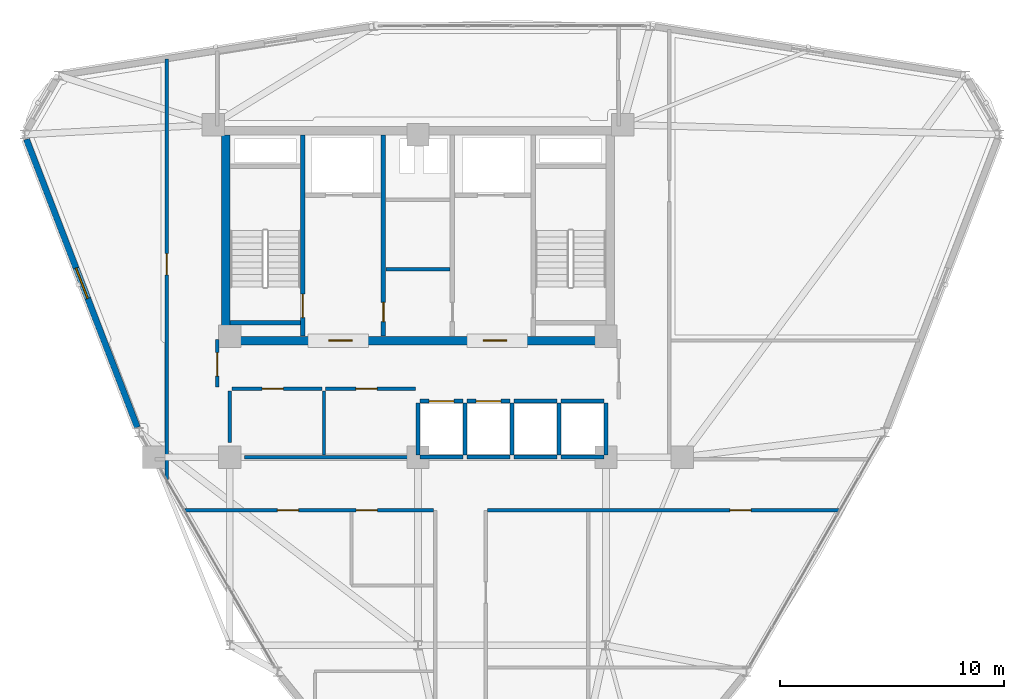
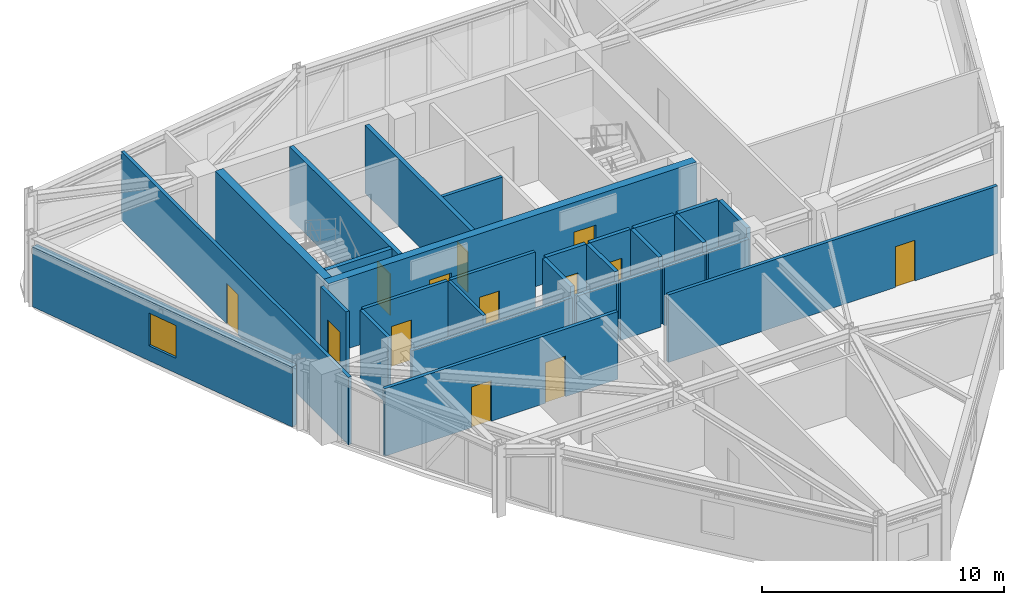
# One storey, part 14 of 18: 29 walls, 13 doors, 1 window, 14 openings.
"""IFC4 building model written with IfcOpenShell, lengths in metres."""

from ifc_helpers import new_model, si_unit, derived_unit, direction, frame, frame_2d, origin, place, context, subcontext, project, spatial, rectangle, extrude, material, layer, layer_set, type_object, element, fill, save


model = new_model("IFC4")

# Units and contexts
model_context = context("Model", 3, precision=1e-05, world=origin(), true_north=direction((0.0, 1.0)))
body_context = subcontext(model_context, "Body", "Model", "MODEL_VIEW")
ifc_project = project(units=[si_unit("LENGTHUNIT", "METRE"), si_unit("AREAUNIT", "SQUARE_METRE"), si_unit("VOLUMEUNIT", "CUBIC_METRE"), si_unit("PLANEANGLEUNIT", "RADIAN"), si_unit("MASSUNIT", "GRAM", prefix="KILO"), derived_unit("THERMALTRANSMITTANCEUNIT", [(si_unit("POWERUNIT", "WATT"), 1), (si_unit("LENGTHUNIT", "METRE"), -2), (si_unit("THERMODYNAMICTEMPERATUREUNIT", "KELVIN"), -1)])], contexts=[model_context])

# Site, building, storey
site_placement = place(None, origin())
site = spatial("IfcSite", under=ifc_project, at=site_placement, CompositionType="ELEMENT")
building_placement = place(site_placement, origin())
building = spatial("IfcBuilding", under=site, at=building_placement, Name="Korsvarv Bourse and Concert Hall", CompositionType="ELEMENT")
storey_placement = place(building_placement, frame((0.0, 0.0, 209.39990234375)))
storey = spatial("IfcBuildingStorey", under=building, at=storey_placement, Name="L54", CompositionType="ELEMENT", Elevation=209.39990234375)

# Wall, openings, doors
ifc_material_1 = material(Name="Concrete C50/60", Category="concrete")
ifc_layer_1 = layer(ifc_material_1, 0.3798828125)
ifc_layer_set_1 = layer_set([ifc_layer_1], Name="Concrete C50/60")
wall_type_1 = type_object("IfcWallType", Name="WL-CORE-380", PredefinedType="SHEAR", material=ifc_layer_set_1)
wall_1_placement = place(storey_placement, frame((27.219970703125, 37.610107421875, 0.0), z_axis=(0.0, 0.0, 1.0), x_axis=(1.0, 0.0, 0.0)))
wall_1 = element("IfcWall", 1, at=wall_1_placement, inside=storey, type_object=wall_type_1, Name="L54 South Core Shear Wall", PredefinedType="SHEAR", context=body_context, shape_type="SweptSolid", body=[
    extrude(rectangle(XDim=17.56005859375, YDim=0.3798828125, at=frame_2d((8.780029296875, 0.0))), origin(), (0.0, 0.0, 1.0), 3.60009765625),
])
opening_1_placement = place(wall_1_placement, frame((4.804931640625, 0.0, 0.0)))
opening_1 = element("IfcOpeningElement", 2, at=opening_1_placement, cuts=wall_1, Name="Opening D-01", PredefinedType="OPENING", context=body_context, shape_type="SweptSolid", body=[
    extrude(rectangle(XDim=1.050048828125, YDim=2.10009765625, at=frame_2d((0.52490234375, 1.050048828125))), frame((0.0, 0.199951171875, 0.0), z_axis=(0.0, -1.0, 0.0), x_axis=(1.0, 0.0, 0.0)), (0.0, 0.0, 1.0), 0.39990234375),
])
opening_2_placement = place(wall_1_placement, frame((11.705078125, 0.0, 0.0)))
opening_2 = element("IfcOpeningElement", 3, at=opening_2_placement, cuts=wall_1, Name="Opening D-01", PredefinedType="OPENING", context=body_context, shape_type="SweptSolid", body=[
    extrude(rectangle(XDim=1.050048828125, YDim=2.10009765625, at=frame_2d((0.52490234375, 1.050048828125))), frame((0.0, 0.199951171875, 0.0), z_axis=(0.0, -1.0, 0.0), x_axis=(1.0, 0.0, 0.0)), (0.0, 0.0, 1.0), 0.39990234375),
])
ifc_material_2 = material(Name="Steel S355 fire door", Category="steel")
door_type_1 = type_object("IfcDoorType", Name="DR-FD60", OperationType="NOTDEFINED", PredefinedType="DOOR", material=ifc_material_2)
door_1_placement = place(opening_1_placement, frame((1.050048828125, 0.0, 0.0), z_axis=(0.0, 0.0, 1.0), x_axis=(-1.0, 0.0, 0.0)))
door_1 = element("IfcDoor", 4, at=door_1_placement, inside=storey, type_object=door_type_1, Name="L54 firefighting lobby fire door DR-L54-FFLW", OperationType="SINGLE_SWING_RIGHT", OverallHeight=2.10009765625, OverallWidth=1.050048828125, PredefinedType="DOOR", context=body_context, shape_type="SweptSolid", body=[
    extrude(rectangle(XDim=1.050048828125, YDim=2.10009765625, at=frame_2d((0.52490234375, 1.050048828125))), frame((0.0, 0.02490234375, 0.0), z_axis=(0.0, -1.0, 0.0), x_axis=(1.0, 0.0, 0.0)), (0.0, 0.0, 1.0), 0.050048828125),
])
fill(opening_1, door_1)
door_2_placement = place(opening_2_placement, frame((1.050048828125, 0.0, 0.0), z_axis=(0.0, 0.0, 1.0), x_axis=(-1.0, 0.0, 0.0)))
door_2 = element("IfcDoor", 5, at=door_2_placement, inside=storey, type_object=door_type_1, Name="L54 firefighting lobby fire door DR-L54-FFLE", OperationType="SINGLE_SWING_LEFT", OverallHeight=2.10009765625, OverallWidth=1.050048828125, PredefinedType="DOOR", context=body_context, shape_type="SweptSolid", body=[
    extrude(rectangle(XDim=1.050048828125, YDim=2.10009765625, at=frame_2d((0.52490234375, 1.050048828125))), frame((0.0, 0.02490234375, 0.0), z_axis=(0.0, -1.0, 0.0), x_axis=(1.0, 0.0, 0.0)), (0.0, 0.0, 1.0), 0.050048828125),
])
fill(opening_2, door_2)

# Wall
wall_2_placement = place(storey_placement, frame((27.409912109375, 37.800048828125, 0.0), z_axis=(0.0, 0.0, 1.0), x_axis=(0.0, 1.0, 0.0)))
element("IfcWall", 6, at=wall_2_placement, inside=storey, type_object=wall_type_1, Name="L54 West Core Shear Wall", PredefinedType="SHEAR", context=body_context, shape_type="SweptSolid", body=[
    extrude(rectangle(XDim=9.0, YDim=0.3798828125, at=frame_2d((4.5, 0.0))), origin(), (0.0, 0.0, 1.0), 3.60009765625),
])

# Wall, opening, door
wall_3_placement = place(storey_placement, frame((30.860107421875, 37.81005859375, 0.0), z_axis=(0.0, 0.0, 1.0), x_axis=(0.0, 1.0, 0.0)))
wall_3 = element("IfcWall", 7, at=wall_3_placement, inside=storey, type_object=wall_type_1, Name="L54 stair shaft structural wall W-L54-ST1-E", PredefinedType="SHEAR", context=body_context, shape_type="SweptSolid", body=[
    extrude(rectangle(XDim=8.97998046875, YDim=0.199951171875, at=frame_2d((4.489990234375, 0.0))), origin(), (0.0, 0.0, 1.0), 3.60009765625),
])
opening_3_placement = place(wall_3_placement, frame((0.820068359375, 0.0, 0.0)))
opening_3 = element("IfcOpeningElement", 8, at=opening_3_placement, cuts=wall_3, Name="Opening D-01", PredefinedType="OPENING", context=body_context, shape_type="SweptSolid", body=[
    extrude(rectangle(XDim=1.050048828125, YDim=2.10009765625, at=frame_2d((0.52490234375, 1.050048828125))), frame((0.0, 0.10986328125, 0.0), z_axis=(0.0, -1.0, 0.0), x_axis=(1.0, 0.0, 0.0)), (0.0, 0.0, 1.0), 0.219970703125),
])
door_3_placement = place(opening_3_placement, origin())
door_3 = element("IfcDoor", 9, at=door_3_placement, inside=storey, type_object=door_type_1, Name="L54 interior door DR-L54-ST1", OperationType="SINGLE_SWING_LEFT", OverallHeight=2.10009765625, OverallWidth=1.050048828125, PredefinedType="DOOR", context=body_context, shape_type="SweptSolid", body=[
    extrude(rectangle(XDim=1.050048828125, YDim=2.10009765625, at=frame_2d((0.52490234375, 1.050048828125))), frame((0.0, 0.02490234375, 0.0), z_axis=(0.0, -1.0, 0.0), x_axis=(1.0, 0.0, 0.0)), (0.0, 0.0, 1.0), 0.050048828125),
])
fill(opening_3, door_3)

# Wall
wall_4_placement = place(storey_placement, frame((27.610107421875, 38.39990234375, 0.0), z_axis=(0.0, 0.0, 1.0), x_axis=(1.0, 0.0, 0.0)))
element("IfcWall", 10, at=wall_4_placement, inside=storey, type_object=wall_type_1, Name="L54 stair shaft structural wall W-L54-ST1-S", PredefinedType="SHEAR", context=body_context, shape_type="SweptSolid", body=[
    extrude(rectangle(XDim=3.139892578125, YDim=0.199951171875, at=frame_2d((1.56982421875, 0.0))), origin(), (0.0, 0.0, 1.0), 3.60009765625),
])

# Wall, opening, window
ifc_material_3 = material(Name="Precast concrete C45/55 with fluted terracotta pier", Category="concrete")
ifc_layer_2 = layer(ifc_material_3, 0.280029296875)
ifc_layer_set_2 = layer_set([ifc_layer_2], Name="Precast concrete C45/55 with fluted terracotta pier")
wall_type_2 = type_object("IfcWallType", Name="WL-EXT-TC2", PredefinedType="SOLIDWALL", material=ifc_layer_set_2)
wall_5_placement = place(storey_placement, frame((18.511962890625, 46.598388671875, 0.0), z_axis=(0.0, 0.0, 1.0), x_axis=(0.359321962573, -0.933213655715, 0.0)))
wall_5 = element("IfcWall", 11, at=wall_5_placement, inside=storey, type_object=wall_type_2, Name="L54 terracotta exterior wall EW-L54-B06", PredefinedType="SOLIDWALL", context=body_context, shape_type="SweptSolid", body=[
    extrude(rectangle(XDim=13.7880859375, YDim=0.280029296875, at=frame_2d((6.89404296875, 0.0))), origin(), (0.0, 0.0, 1.0), 3.02001953125),
])
opening_4_placement = place(wall_5_placement, frame((6.1689453125, 0.0, 0.75)))
opening_4 = element("IfcOpeningElement", 12, at=opening_4_placement, cuts=wall_5, Name="Opening W-02", PredefinedType="OPENING", context=body_context, shape_type="SweptSolid", body=[
    extrude(rectangle(XDim=1.449951171875, YDim=1.64990234375, at=frame_2d((0.72509765625, 0.824951171875))), frame((0.0, 0.14990234375, 0.0), z_axis=(0.0, -1.0, 0.0), x_axis=(1.0, 0.0, 0.0)), (0.0, 0.0, 1.0), 0.300048828125),
])
ifc_material_4 = material(Name="Thermally broken aluminium frame with triple low-E glass", Category="glass")
window_type = type_object("IfcWindowType", Name="WIN-TW2", PartitioningType="SINGLE_PANEL", PredefinedType="WINDOW", material=ifc_material_4)
window_placement = place(opening_4_placement, origin())
window = element("IfcWindow", 13, at=window_placement, inside=storey, type_object=window_type, Name="L54 punched facade window W-02", OverallHeight=1.64990234375, OverallWidth=1.449951171875, PartitioningType="SINGLE_PANEL", PredefinedType="WINDOW", context=body_context, shape_type="SweptSolid", body=[
    extrude(rectangle(XDim=1.449951171875, YDim=1.64990234375, at=frame_2d((0.72509765625, 0.824951171875))), frame((0.0, 0.030029296875, 0.0), z_axis=(0.0, -1.0, 0.0), x_axis=(1.0, 0.0, 0.0)), (0.0, 0.0, 1.0), 0.06005859375),
])
fill(opening_4, window)

# Wall, opening, door
ifc_material_5 = material(Name="Reinforced concrete blockwork C35/45 fire wall", Category="concrete")
ifc_layer_3 = layer(ifc_material_5, 0.199951171875)
ifc_layer_set_3 = layer_set([ifc_layer_3], Name="Reinforced concrete blockwork C35/45 fire wall")
wall_type_3 = type_object("IfcWallType", Name="WL-INT-EI120", PredefinedType="PARTITIONING", material=ifc_layer_set_3)
wall_6_placement = place(storey_placement, frame((34.4599609375, 37.81005859375, 0.0), z_axis=(0.0, 0.0, 1.0), x_axis=(0.0, 1.0, 0.0)))
wall_6 = element("IfcWall", 14, at=wall_6_placement, inside=storey, type_object=wall_type_3, Name="L54 interior partition wall W-L54-CSB-W", PredefinedType="PARTITIONING", context=body_context, shape_type="SweptSolid", body=[
    extrude(rectangle(XDim=8.97998046875, YDim=0.199951171875, at=frame_2d((4.489990234375, 0.0))), origin(), (0.0, 0.0, 1.0), 3.41015625),
])
opening_5_placement = place(wall_6_placement, frame((0.64990234375, 0.0, 0.0)))
opening_5 = element("IfcOpeningElement", 15, at=opening_5_placement, cuts=wall_6, Name="Opening D-05", PredefinedType="OPENING", context=body_context, shape_type="SweptSolid", body=[
    extrude(rectangle(XDim=0.85009765625, YDim=2.050048828125, at=frame_2d((0.425048828125, 1.02490234375))), frame((0.0, 0.10986328125, 0.0), z_axis=(0.0, -1.0, 0.0), x_axis=(1.0, 0.0, 0.0)), (0.0, 0.0, 1.0), 0.219970703125),
])
door_type_2 = type_object("IfcDoorType", Name="DR-FD60-850X2050", OperationType="NOTDEFINED", PredefinedType="DOOR", material=ifc_material_2)
door_4_placement = place(opening_5_placement, frame((0.85009765625, 0.0, 0.0), z_axis=(0.0, 0.0, 1.0), x_axis=(-1.0, 0.0, 0.0)))
door_4 = element("IfcDoor", 16, at=door_4_placement, inside=storey, type_object=door_type_2, Name="L54 interior door DR-L54-CSB1", OperationType="SINGLE_SWING_LEFT", OverallHeight=2.050048828125, OverallWidth=0.85009765625, PredefinedType="DOOR", context=body_context, shape_type="SweptSolid", body=[
    extrude(rectangle(XDim=0.85009765625, YDim=2.050048828125, at=frame_2d((0.425048828125, 1.02490234375))), frame((0.0, 0.02490234375, 0.0), z_axis=(0.0, -1.0, 0.0), x_axis=(1.0, 0.0, 0.0)), (0.0, 0.0, 1.0), 0.050048828125),
])
fill(opening_5, door_4)

# Walls
ifc_material_6 = material(Name="Double-stud fire-rated acoustic partition", Category="gypsum")
ifc_layer_4 = layer(ifc_material_6, 0.159912109375)
ifc_layer_set_4 = layer_set([ifc_layer_4], Name="Double-stud fire-rated acoustic partition")
wall_type_4 = type_object("IfcWallType", Name="WL-INT-EI60", PredefinedType="PARTITIONING", material=ifc_layer_set_4)
wall_7_placement = place(storey_placement, frame((34.570068359375, 40.800048828125, 0.0), z_axis=(0.0, 0.0, 1.0), x_axis=(1.0, 0.0, 0.0)))
element("IfcWall", 17, at=wall_7_placement, inside=storey, type_object=wall_type_4, Name="L54 interior partition wall W-L54-K1", PredefinedType="PARTITIONING", context=body_context, shape_type="SweptSolid", body=[
    extrude(rectangle(XDim=2.85986328125, YDim=0.159912109375, at=frame_2d((1.429931640625, 0.0))), origin(), (0.0, 0.0, 1.0), 3.41015625),
])
wall_8_placement = place(storey_placement, frame((28.25, 32.39990234375, 0.0), z_axis=(0.0, 0.0, 1.0), x_axis=(1.0, 0.0, 0.0)))
element("IfcWall", 18, at=wall_8_placement, inside=storey, type_object=wall_type_4, Name="L54 interior partition wall W-L54-FRD-S", PredefinedType="PARTITIONING", context=body_context, shape_type="SweptSolid", body=[
    extrude(rectangle(XDim=7.64990234375, YDim=0.159912109375, at=frame_2d((3.824951171875, 0.0))), origin(), (0.0, 0.0, 1.0), 2.960205078125),
])
wall_9_placement = place(storey_placement, frame((27.60009765625, 33.050048828125, 0.0), z_axis=(0.0, 0.0, 1.0), x_axis=(0.0, 1.0, 0.0)))
element("IfcWall", 19, at=wall_9_placement, inside=storey, type_object=wall_type_4, Name="L54 interior partition wall W-L54-FRD-W", PredefinedType="PARTITIONING", context=body_context, shape_type="SweptSolid", body=[
    extrude(rectangle(XDim=2.31005859375, YDim=0.159912109375, at=frame_2d((1.155029296875, 0.0))), origin(), (0.0, 0.0, 1.0), 3.41015625),
])

# Wall, opening, door
wall_10_placement = place(storey_placement, frame((27.68994140625, 35.449951171875, 0.0), z_axis=(0.0, 0.0, 1.0), x_axis=(1.0, 0.0, 0.0)))
wall_10 = element("IfcWall", 20, at=wall_10_placement, inside=storey, type_object=wall_type_4, Name="L54 interior partition wall W-L54-FRD-N1", PredefinedType="PARTITIONING", context=body_context, shape_type="SweptSolid", body=[
    extrude(rectangle(XDim=4.030029296875, YDim=0.159912109375, at=frame_2d((2.01513671875, 0.0))), origin(), (0.0, 0.0, 1.0), 3.41015625),
])
opening_6_placement = place(wall_10_placement, frame((1.35009765625, 0.0, 0.0)))
opening_6 = element("IfcOpeningElement", 21, at=opening_6_placement, cuts=wall_10, Name="Opening D-03", PredefinedType="OPENING", context=body_context, shape_type="SweptSolid", body=[
    extrude(rectangle(XDim=0.949951171875, YDim=2.050048828125, at=frame_2d((0.47509765625, 1.02490234375))), frame((0.0, 0.08984375, 0.0), z_axis=(0.0, -1.0, 0.0), x_axis=(1.0, 0.0, 0.0)), (0.0, 0.0, 1.0), 0.179931640625),
])
ifc_material_7 = material(Name="Nordic oak acoustic office door", Category="wood")
door_type_3 = type_object("IfcDoorType", Name="DR-INT-1", OperationType="NOTDEFINED", PredefinedType="DOOR", material=ifc_material_7)
door_5_placement = place(opening_6_placement, origin())
door_5 = element("IfcDoor", 22, at=door_5_placement, inside=storey, type_object=door_type_3, Name="L54 interior door DR-L54-FRDN1", OperationType="SINGLE_SWING_LEFT", OverallHeight=2.050048828125, OverallWidth=0.949951171875, PredefinedType="DOOR", context=body_context, shape_type="SweptSolid", body=[
    extrude(rectangle(XDim=0.949951171875, YDim=2.050048828125, at=frame_2d((0.47509765625, 1.02490234375))), frame((0.0, 0.02490234375, 0.0), z_axis=(0.0, -1.0, 0.0), x_axis=(1.0, 0.0, 0.0)), (0.0, 0.0, 1.0), 0.050048828125),
])
fill(opening_6, door_5)

wall_11_placement = place(storey_placement, frame((31.8798828125, 35.449951171875, 0.0), z_axis=(0.0, 0.0, 1.0), x_axis=(1.0, 0.0, 0.0)))
wall_11 = element("IfcWall", 23, at=wall_11_placement, inside=storey, type_object=wall_type_4, Name="L54 interior partition wall W-L54-FRD-N2", PredefinedType="PARTITIONING", context=body_context, shape_type="SweptSolid", body=[
    extrude(rectangle(XDim=4.02001953125, YDim=0.159912109375, at=frame_2d((2.010009765625, 0.0))), origin(), (0.0, 0.0, 1.0), 3.41015625),
])
opening_7_placement = place(wall_11_placement, frame((1.35009765625, 0.0, 0.0)))
opening_7 = element("IfcOpeningElement", 24, at=opening_7_placement, cuts=wall_11, Name="Opening D-03", PredefinedType="OPENING", context=body_context, shape_type="SweptSolid", body=[
    extrude(rectangle(XDim=0.949951171875, YDim=2.050048828125, at=frame_2d((0.47509765625, 1.02490234375))), frame((0.0, 0.08984375, 0.0), z_axis=(0.0, -1.0, 0.0), x_axis=(1.0, 0.0, 0.0)), (0.0, 0.0, 1.0), 0.179931640625),
])
door_6_placement = place(opening_7_placement, origin())
door_6 = element("IfcDoor", 25, at=door_6_placement, inside=storey, type_object=door_type_3, Name="L54 interior door DR-L54-FRDN2", OperationType="SINGLE_SWING_RIGHT", OverallHeight=2.050048828125, OverallWidth=0.949951171875, PredefinedType="DOOR", context=body_context, shape_type="SweptSolid", body=[
    extrude(rectangle(XDim=0.949951171875, YDim=2.050048828125, at=frame_2d((0.47509765625, 1.02490234375))), frame((0.0, 0.02490234375, 0.0), z_axis=(0.0, -1.0, 0.0), x_axis=(1.0, 0.0, 0.0)), (0.0, 0.0, 1.0), 0.050048828125),
])
fill(opening_7, door_6)

wall_12_placement = place(storey_placement, frame((27.0400390625, 35.5400390625, 0.0), z_axis=(0.0, 0.0, 1.0), x_axis=(0.0, 1.0, 0.0)))
wall_12 = element("IfcWall", 26, at=wall_12_placement, inside=storey, type_object=wall_type_4, Name="L54 interior partition wall W-L54-LOB-WL", PredefinedType="PARTITIONING", context=body_context, shape_type="SweptSolid", body=[
    extrude(rectangle(XDim=2.10986328125, YDim=0.159912109375, at=frame_2d((1.054931640625, 0.0))), origin(), (0.0, 0.0, 1.0), 3.41015625),
])
opening_8_placement = place(wall_12_placement, frame((0.47998046875, 0.0, 0.0)))
opening_8 = element("IfcOpeningElement", 27, at=opening_8_placement, cuts=wall_12, Name="Opening D-01", PredefinedType="OPENING", context=body_context, shape_type="SweptSolid", body=[
    extrude(rectangle(XDim=1.050048828125, YDim=2.10009765625, at=frame_2d((0.52490234375, 1.050048828125))), frame((0.0, 0.08984375, 0.0), z_axis=(0.0, -1.0, 0.0), x_axis=(1.0, 0.0, 0.0)), (0.0, 0.0, 1.0), 0.179931640625),
])
door_7_placement = place(opening_8_placement, frame((1.050048828125, 0.0, 0.0), z_axis=(0.0, 0.0, 1.0), x_axis=(-1.0, 0.0, 0.0)))
door_7 = element("IfcDoor", 28, at=door_7_placement, inside=storey, type_object=door_type_1, Name="L54 interior door DR-L54-LOBW", OperationType="SINGLE_SWING_LEFT", OverallHeight=2.10009765625, OverallWidth=1.050048828125, PredefinedType="DOOR", context=body_context, shape_type="SweptSolid", body=[
    extrude(rectangle(XDim=1.050048828125, YDim=2.10009765625, at=frame_2d((0.52490234375, 1.050048828125))), frame((0.0, 0.02490234375, 0.0), z_axis=(0.0, -1.0, 0.0), x_axis=(1.0, 0.0, 0.0)), (0.0, 0.0, 1.0), 0.050048828125),
])
fill(opening_8, door_7)

wall_13_placement = place(storey_placement, frame((24.77490234375, 31.413330078125, 0.0), z_axis=(0.0, 0.0, 1.0), x_axis=(0.0, 1.0, 0.0)))
wall_13 = element("IfcWall", 29, at=wall_13_placement, inside=storey, type_object=wall_type_4, Name="L54 interior partition wall W-L54-TCOR-02", PredefinedType="PARTITIONING", context=body_context, shape_type="SweptSolid", body=[
    extrude(rectangle(XDim=18.773193359375, YDim=0.159912109375, at=frame_2d((9.38671875, 0.0))), origin(), (0.0, 0.0, 1.0), 3.41015625),
])
opening_9_placement = place(wall_13_placement, frame((9.12744140625, 0.0, 0.0)))
opening_9 = element("IfcOpeningElement", 30, at=opening_9_placement, cuts=wall_13, Name="Opening D-02", PredefinedType="OPENING", context=body_context, shape_type="SweptSolid", body=[
    extrude(rectangle(XDim=0.949951171875, YDim=2.050048828125, at=frame_2d((0.47509765625, 1.02490234375))), frame((0.0, 0.08984375, 0.0), z_axis=(0.0, -1.0, 0.0), x_axis=(1.0, 0.0, 0.0)), (0.0, 0.0, 1.0), 0.179931640625),
])
ifc_material_8 = material(Name="Timber and steel acoustic fire door", Category="wood")
door_type_4 = type_object("IfcDoorType", Name="DR-FD30", OperationType="NOTDEFINED", PredefinedType="DOOR", material=ifc_material_8)
door_8_placement = place(opening_9_placement, origin())
door_8 = element("IfcDoor", 31, at=door_8_placement, inside=storey, type_object=door_type_4, Name="L54 interior door DR-L54-TCOR-PN710", OperationType="SINGLE_SWING_RIGHT", OverallHeight=2.050048828125, OverallWidth=0.949951171875, PredefinedType="DOOR", context=body_context, shape_type="SweptSolid", body=[
    extrude(rectangle(XDim=0.949951171875, YDim=2.050048828125, at=frame_2d((0.47509765625, 1.02490234375))), frame((0.0, 0.02490234375, 0.0), z_axis=(0.0, -1.0, 0.0), x_axis=(1.0, 0.0, 0.0)), (0.0, 0.0, 1.0), 0.050048828125),
])
fill(opening_9, door_8)

wall_14_placement = place(storey_placement, frame((39.10693359375, 30.02490234375, 0.0), z_axis=(0.0, 0.0, 1.0), x_axis=(1.0, 0.0, 0.0)))
wall_14 = element("IfcWall", 32, at=wall_14_placement, inside=storey, type_object=wall_type_4, Name="L54 interior partition wall W-L54-TCOR-05", PredefinedType="PARTITIONING", context=body_context, shape_type="SweptSolid", body=[
    extrude(rectangle(XDim=15.7080078125, YDim=0.159912109375, at=frame_2d((7.85400390625, 0.0))), origin(), (0.0, 0.0, 1.0), 3.41015625),
])
opening_10_placement = place(wall_14_placement, frame((10.822509765625, 0.0, 0.0)))
opening_10 = element("IfcOpeningElement", 33, at=opening_10_placement, cuts=wall_14, Name="Opening D-02", PredefinedType="OPENING", context=body_context, shape_type="SweptSolid", body=[
    extrude(rectangle(XDim=0.949951171875, YDim=2.050048828125, at=frame_2d((0.47509765625, 1.02490234375))), frame((0.0, 0.08984375, 0.0), z_axis=(0.0, -1.0, 0.0), x_axis=(1.0, 0.0, 0.0)), (0.0, 0.0, 1.0), 0.179931640625),
])
door_9_placement = place(opening_10_placement, origin())
door_9 = element("IfcDoor", 34, at=door_9_placement, inside=storey, type_object=door_type_4, Name="L54 interior door DR-L54-TCOR-PN36", OperationType="SINGLE_SWING_RIGHT", OverallHeight=2.050048828125, OverallWidth=0.949951171875, PredefinedType="DOOR", context=body_context, shape_type="SweptSolid", body=[
    extrude(rectangle(XDim=0.949951171875, YDim=2.050048828125, at=frame_2d((0.47509765625, 1.02490234375))), frame((0.0, 0.02490234375, 0.0), z_axis=(0.0, -1.0, 0.0), x_axis=(1.0, 0.0, 0.0)), (0.0, 0.0, 1.0), 0.050048828125),
])
fill(opening_10, door_9)

# Wall, openings, doors
wall_15_placement = place(storey_placement, frame((25.585205078125, 30.02490234375, 0.0), z_axis=(0.0, 0.0, 1.0), x_axis=(1.0, 0.0, 0.0)))
wall_15 = element("IfcWall", 35, at=wall_15_placement, inside=storey, type_object=wall_type_4, Name="L54 interior partition wall W-L54-TCOR-06", PredefinedType="PARTITIONING", context=body_context, shape_type="SweptSolid", body=[
    extrude(rectangle(XDim=11.10791015625, YDim=0.159912109375, at=frame_2d((5.553955078125, 0.0))), origin(), (0.0, 0.0, 1.0), 3.41015625),
])
opening_11_placement = place(wall_15_placement, frame((7.65478515625, 0.0, 0.0)))
opening_11 = element("IfcOpeningElement", 36, at=opening_11_placement, cuts=wall_15, Name="Opening D-02", PredefinedType="OPENING", context=body_context, shape_type="SweptSolid", body=[
    extrude(rectangle(XDim=0.949951171875, YDim=2.050048828125, at=frame_2d((0.47509765625, 1.02490234375))), frame((0.0, 0.08984375, 0.0), z_axis=(0.0, -1.0, 0.0), x_axis=(1.0, 0.0, 0.0)), (0.0, 0.0, 1.0), 0.179931640625),
])
opening_12_placement = place(wall_15_placement, frame((4.13232421875, 0.0, 0.0)))
opening_12 = element("IfcOpeningElement", 37, at=opening_12_placement, cuts=wall_15, Name="Opening D-02", PredefinedType="OPENING", context=body_context, shape_type="SweptSolid", body=[
    extrude(rectangle(XDim=0.949951171875, YDim=2.050048828125, at=frame_2d((0.47509765625, 1.02490234375))), frame((0.0, 0.08984375, 0.0), z_axis=(0.0, -1.0, 0.0), x_axis=(1.0, 0.0, 0.0)), (0.0, 0.0, 1.0), 0.179931640625),
])
door_10_placement = place(opening_11_placement, origin())
door_10 = element("IfcDoor", 38, at=door_10_placement, inside=storey, type_object=door_type_4, Name="L54 interior door DR-L54-TCOR-RWC", OperationType="SINGLE_SWING_LEFT", OverallHeight=2.050048828125, OverallWidth=0.949951171875, PredefinedType="DOOR", context=body_context, shape_type="SweptSolid", body=[
    extrude(rectangle(XDim=0.949951171875, YDim=2.050048828125, at=frame_2d((0.47509765625, 1.02490234375))), frame((0.0, 0.02490234375, 0.0), z_axis=(0.0, -1.0, 0.0), x_axis=(1.0, 0.0, 0.0)), (0.0, 0.0, 1.0), 0.050048828125),
])
fill(opening_11, door_10)
door_11_placement = place(opening_12_placement, origin())
door_11 = element("IfcDoor", 39, at=door_11_placement, inside=storey, type_object=door_type_4, Name="L54 interior door DR-L54-TCOR-PN18", OperationType="SINGLE_SWING_RIGHT", OverallHeight=2.050048828125, OverallWidth=0.949951171875, PredefinedType="DOOR", context=body_context, shape_type="SweptSolid", body=[
    extrude(rectangle(XDim=0.949951171875, YDim=2.050048828125, at=frame_2d((0.47509765625, 1.02490234375))), frame((0.0, 0.02490234375, 0.0), z_axis=(0.0, -1.0, 0.0), x_axis=(1.0, 0.0, 0.0)), (0.0, 0.0, 1.0), 0.050048828125),
])
fill(opening_12, door_11)

# Wall, opening, door
ifc_material_9 = material(Name="Gypsum-clad autoclaved concrete shaft wall C30/37", Category="concrete")
ifc_layer_5 = layer(ifc_material_9, 0.179931640625)
ifc_layer_set_5 = layer_set([ifc_layer_5], Name="Gypsum-clad autoclaved concrete shaft wall C30/37")
wall_type_5 = type_object("IfcWallType", Name="WL-INT-EI90", PredefinedType="PARTITIONING", material=ifc_layer_set_5)
wall_16_placement = place(storey_placement, frame((36.090087890625, 34.89990234375, 0.0), z_axis=(0.0, 0.0, 1.0), x_axis=(1.0, 0.0, 0.0)))
wall_16 = element("IfcWall", 40, at=wall_16_placement, inside=storey, type_object=wall_type_5, Name="L54 interior partition wall W-L54-SHFN-PH1", PredefinedType="PARTITIONING", context=body_context, shape_type="SweptSolid", body=[
    extrude(rectangle(XDim=1.919921875, YDim=0.179931640625, at=frame_2d((0.9599609375, 0.0))), origin(), (0.0, 0.0, 1.0), 3.41015625),
])
opening_13_placement = place(wall_16_placement, frame((0.409912109375, 0.0, 0.0)))
opening_13 = element("IfcOpeningElement", 41, at=opening_13_placement, cuts=wall_16, Name="Opening LD-2", PredefinedType="OPENING", context=body_context, shape_type="SweptSolid", body=[
    extrude(rectangle(XDim=1.10009765625, YDim=2.10009765625, at=frame_2d((0.550048828125, 1.050048828125))), frame((0.0, 0.10009765625, 0.0), z_axis=(0.0, -1.0, 0.0), x_axis=(1.0, 0.0, 0.0)), (0.0, 0.0, 1.0), 0.199951171875),
])
ifc_material_10 = material(Name="Brushed stainless Steel S355 lift landing door", Category="steel")
door_type_5 = type_object("IfcDoorType", Name="DR-LIFT-P", OperationType="DOUBLE_DOOR_SLIDING", PredefinedType="DOOR", material=ifc_material_10)
door_12_placement = place(opening_13_placement, origin())
door_12 = element("IfcDoor", 42, at=door_12_placement, inside=storey, type_object=door_type_5, Name="L54 lift sliding landing door LD-L54-PH1", OperationType="DOUBLE_DOOR_SLIDING", OverallHeight=2.10009765625, OverallWidth=1.10009765625, PredefinedType="DOOR", context=body_context, shape_type="SweptSolid", body=[
    extrude(rectangle(XDim=1.10009765625, YDim=2.10009765625, at=frame_2d((0.550048828125, 1.050048828125))), frame((0.0, 0.02490234375, 0.0), z_axis=(0.0, -1.0, 0.0), x_axis=(1.0, 0.0, 0.0)), (0.0, 0.0, 1.0), 0.050048828125),
])
fill(opening_13, door_12)

# Walls
wall_17_placement = place(storey_placement, frame((36.090087890625, 32.39990234375, 0.0), z_axis=(0.0, 0.0, 1.0), x_axis=(1.0, 0.0, 0.0)))
element("IfcWall", 43, at=wall_17_placement, inside=storey, type_object=wall_type_5, Name="L54 interior partition wall W-L54-SHFS-PH1", PredefinedType="PARTITIONING", context=body_context, shape_type="SweptSolid", body=[
    extrude(rectangle(XDim=1.919921875, YDim=0.179931640625, at=frame_2d((0.9599609375, 0.0))), origin(), (0.0, 0.0, 1.0), 2.960205078125),
])
wall_18_placement = place(storey_placement, frame((36.0, 32.489990234375, 0.0), z_axis=(0.0, 0.0, 1.0), x_axis=(0.0, 1.0, 0.0)))
element("IfcWall", 44, at=wall_18_placement, inside=storey, type_object=wall_type_5, Name="L54 interior partition wall W-L54-SHFW-PH1", PredefinedType="PARTITIONING", context=body_context, shape_type="SweptSolid", body=[
    extrude(rectangle(XDim=2.320068359375, YDim=0.179931640625, at=frame_2d((1.16015625, 0.0))), origin(), (0.0, 0.0, 1.0), 3.41015625),
])

# Wall, opening, door
wall_19_placement = place(storey_placement, frame((38.18994140625, 34.89990234375, 0.0), z_axis=(0.0, 0.0, 1.0), x_axis=(1.0, 0.0, 0.0)))
wall_19 = element("IfcWall", 45, at=wall_19_placement, inside=storey, type_object=wall_type_5, Name="L54 interior partition wall W-L54-SHFN-PH2", PredefinedType="PARTITIONING", context=body_context, shape_type="SweptSolid", body=[
    extrude(rectangle(XDim=1.920166015625, YDim=0.179931640625, at=frame_2d((0.9599609375, 0.0))), origin(), (0.0, 0.0, 1.0), 3.41015625),
])
opening_14_placement = place(wall_19_placement, frame((0.409912109375, 0.0, 0.0)))
opening_14 = element("IfcOpeningElement", 46, at=opening_14_placement, cuts=wall_19, Name="Opening LD-2", PredefinedType="OPENING", context=body_context, shape_type="SweptSolid", body=[
    extrude(rectangle(XDim=1.10009765625, YDim=2.10009765625, at=frame_2d((0.550048828125, 1.050048828125))), frame((0.0, 0.10009765625, 0.0), z_axis=(0.0, -1.0, 0.0), x_axis=(1.0, 0.0, 0.0)), (0.0, 0.0, 1.0), 0.199951171875),
])
door_13_placement = place(opening_14_placement, origin())
door_13 = element("IfcDoor", 47, at=door_13_placement, inside=storey, type_object=door_type_5, Name="L54 lift sliding landing door LD-L54-PH2", OperationType="DOUBLE_DOOR_SLIDING", OverallHeight=2.10009765625, OverallWidth=1.10009765625, PredefinedType="DOOR", context=body_context, shape_type="SweptSolid", body=[
    extrude(rectangle(XDim=1.10009765625, YDim=2.10009765625, at=frame_2d((0.550048828125, 1.050048828125))), frame((0.0, 0.02490234375, 0.0), z_axis=(0.0, -1.0, 0.0), x_axis=(1.0, 0.0, 0.0)), (0.0, 0.0, 1.0), 0.050048828125),
])
fill(opening_14, door_13)

# Walls
wall_20_placement = place(storey_placement, frame((38.18994140625, 32.39990234375, 0.0), z_axis=(0.0, 0.0, 1.0), x_axis=(1.0, 0.0, 0.0)))
element("IfcWall", 48, at=wall_20_placement, inside=storey, type_object=wall_type_5, Name="L54 interior partition wall W-L54-SHFS-PH2", PredefinedType="PARTITIONING", context=body_context, shape_type="SweptSolid", body=[
    extrude(rectangle(XDim=1.920166015625, YDim=0.179931640625, at=frame_2d((0.9599609375, 0.0))), origin(), (0.0, 0.0, 1.0), 2.960205078125),
])
wall_21_placement = place(storey_placement, frame((38.10009765625, 32.489990234375, 0.0), z_axis=(0.0, 0.0, 1.0), x_axis=(0.0, 1.0, 0.0)))
element("IfcWall", 49, at=wall_21_placement, inside=storey, type_object=wall_type_5, Name="L54 interior partition wall W-L54-SHFW-PH2", PredefinedType="PARTITIONING", context=body_context, shape_type="SweptSolid", body=[
    extrude(rectangle(XDim=2.320068359375, YDim=0.179931640625, at=frame_2d((1.16015625, 0.0))), origin(), (0.0, 0.0, 1.0), 3.41015625),
])
wall_22_placement = place(storey_placement, frame((40.2900390625, 34.89990234375, 0.0), z_axis=(0.0, 0.0, 1.0), x_axis=(1.0, 0.0, 0.0)))
element("IfcWall", 50, at=wall_22_placement, inside=storey, type_object=wall_type_5, Name="L54 interior partition wall W-L54-SHFN-PO1", PredefinedType="PARTITIONING", context=body_context, shape_type="SweptSolid", body=[
    extrude(rectangle(XDim=1.919921875, YDim=0.179931640625, at=frame_2d((0.9599609375, 0.0))), origin(), (0.0, 0.0, 1.0), 3.41015625),
])
wall_23_placement = place(storey_placement, frame((40.2900390625, 32.39990234375, 0.0), z_axis=(0.0, 0.0, 1.0), x_axis=(1.0, 0.0, 0.0)))
element("IfcWall", 51, at=wall_23_placement, inside=storey, type_object=wall_type_5, Name="L54 interior partition wall W-L54-SHFS-PO1", PredefinedType="PARTITIONING", context=body_context, shape_type="SweptSolid", body=[
    extrude(rectangle(XDim=1.919921875, YDim=0.179931640625, at=frame_2d((0.9599609375, 0.0))), origin(), (0.0, 0.0, 1.0), 2.960205078125),
])
wall_24_placement = place(storey_placement, frame((40.199951171875, 32.489990234375, 0.0), z_axis=(0.0, 0.0, 1.0), x_axis=(0.0, 1.0, 0.0)))
element("IfcWall", 52, at=wall_24_placement, inside=storey, type_object=wall_type_5, Name="L54 interior partition wall W-L54-SHFW-PO1", PredefinedType="PARTITIONING", context=body_context, shape_type="SweptSolid", body=[
    extrude(rectangle(XDim=2.320068359375, YDim=0.179931640625, at=frame_2d((1.16015625, 0.0))), origin(), (0.0, 0.0, 1.0), 3.41015625),
])
wall_25_placement = place(storey_placement, frame((42.389892578125, 34.89990234375, 0.0), z_axis=(0.0, 0.0, 1.0), x_axis=(1.0, 0.0, 0.0)))
element("IfcWall", 53, at=wall_25_placement, inside=storey, type_object=wall_type_5, Name="L54 interior partition wall W-L54-SHFN-PO2", PredefinedType="PARTITIONING", context=body_context, shape_type="SweptSolid", body=[
    extrude(rectangle(XDim=1.920166015625, YDim=0.179931640625, at=frame_2d((0.9599609375, 0.0))), origin(), (0.0, 0.0, 1.0), 3.41015625),
])
wall_26_placement = place(storey_placement, frame((42.389892578125, 32.39990234375, 0.0), z_axis=(0.0, 0.0, 1.0), x_axis=(1.0, 0.0, 0.0)))
element("IfcWall", 54, at=wall_26_placement, inside=storey, type_object=wall_type_5, Name="L54 interior partition wall W-L54-SHFS-PO2", PredefinedType="PARTITIONING", context=body_context, shape_type="SweptSolid", body=[
    extrude(rectangle(XDim=1.920166015625, YDim=0.179931640625, at=frame_2d((0.9599609375, 0.0))), origin(), (0.0, 0.0, 1.0), 2.960205078125),
])
for number, where, z_axis, x_axis, name in (
    (55, (42.300048828125, 32.489990234375, 0.0), (0.0, 0.0, 1.0), (0.0, 1.0, 0.0), "L54 interior partition wall W-L54-SHFW-PO2"),
    (56, (44.39990234375, 32.489990234375, 0.0), (0.0, 0.0, 1.0), (0.0, 1.0, 0.0), "L54 interior partition wall W-L54-SHFE-END"),
):
    element("IfcWall", number, at=place(storey_placement, frame(where, z_axis=z_axis, x_axis=x_axis)), inside=storey, type_object=wall_type_5, Name=name, PredefinedType="PARTITIONING", context=body_context, shape_type="SweptSolid", body=[
        extrude(rectangle(XDim=2.320068359375, YDim=0.179931640625, at=frame_2d((1.16015625, 0.0))), origin(), (0.0, 0.0, 1.0), 3.41015625),
    ])
ifc_material_11 = material(Name="Insulated steel-stud office acoustic partition", Category="gypsum")
ifc_layer_6 = layer(ifc_material_11, 0.139892578125)
ifc_layer_set_6 = layer_set([ifc_layer_6], Name="Insulated steel-stud office acoustic partition")
wall_type_6 = type_object("IfcWallType", Name="WL-INT-P1", PredefinedType="PARTITIONING", material=ifc_layer_set_6)
wall_27_placement = place(storey_placement, frame((31.800048828125, 32.489990234375, 0.0), z_axis=(0.0, 0.0, 1.0), x_axis=(0.0, 1.0, 0.0)))
element("IfcWall", 57, at=wall_27_placement, inside=storey, type_object=wall_type_6, Name="L54 interior partition wall W-L54-FRD-V", PredefinedType="PARTITIONING", context=body_context, shape_type="SweptSolid", body=[
    extrude(rectangle(XDim=2.8701171875, YDim=0.139892578125, at=frame_2d((1.43505859375, 0.0))), origin(), (0.0, 0.0, 1.0), 3.41015625),
])

save(model, "model.ifc")
